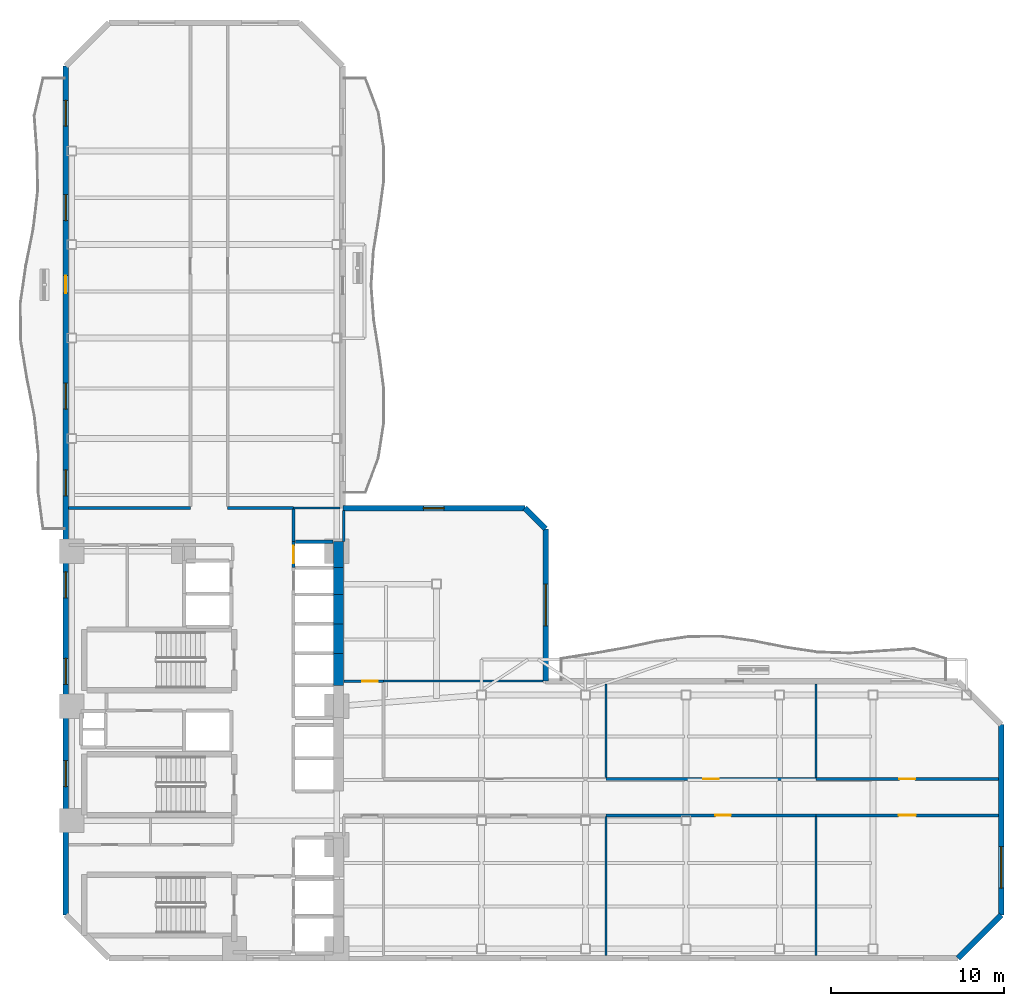
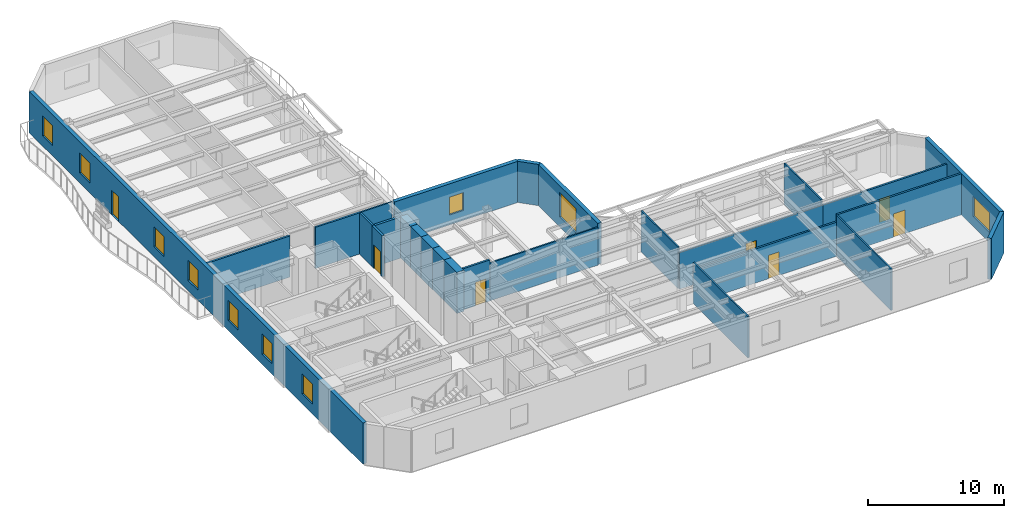
# One storey, part 5 of 10: 28 walls, 10 windows, 7 doors, 17 openings.
"""IFC4 building model written with IfcOpenShell, lengths in metres."""

from ifc_helpers import new_model, si_unit, direction, frame, frame_2d, origin, place, context, subcontext, project, spatial, rectangle, extrude, material, layer, layer_set, type_object, element, fill, save


model = new_model("IFC4")

# Units and contexts
model_context = context("Model", 3, precision=1e-05, world=origin(), true_north=direction((0.0, 1.0)))
body_context = subcontext(model_context, "Body", "Model", "MODEL_VIEW")
ifc_project = project(units=[si_unit("LENGTHUNIT", "METRE"), si_unit("AREAUNIT", "SQUARE_METRE"), si_unit("VOLUMEUNIT", "CUBIC_METRE"), si_unit("PLANEANGLEUNIT", "RADIAN"), si_unit("MASSUNIT", "GRAM", prefix="KILO")], contexts=[model_context])

# Site, building, storey
site_placement = place(None, origin())
site = spatial("IfcSite", under=ifc_project, at=site_placement, CompositionType="ELEMENT")
building_placement = place(site_placement, origin())
building = spatial("IfcBuilding", under=site, at=building_placement, Name="Mawjaban Terraces University", CompositionType="ELEMENT")
storey_placement = place(building_placement, frame((0.0, 0.0, 73.89990234375)))
storey = spatial("IfcBuildingStorey", under=building, at=storey_placement, Name="L17", CompositionType="ELEMENT", Elevation=73.89990234375)

# Walls
ifc_material_1 = material(Name="Concrete C70/85", Category="concrete")
ifc_layer_1 = layer(ifc_material_1, 0.60009765625)
ifc_layer_set_1 = layer_set([ifc_layer_1], Name="Concrete C70/85")
wall_type_1 = type_object("IfcWallType", Name="CoreShearWall_600", PredefinedType="SHEAR", material=ifc_layer_set_1)
wall_1_placement = place(storey_placement, frame((37.75, 15.75, 0.0), z_axis=(0.0, 0.0, 1.0), x_axis=(0.0, 1.0, 0.0)))
element("IfcWall", 1, at=wall_1_placement, inside=storey, type_object=wall_type_1, Name="L17 Lift OL-2 Hoistway Wall East", PredefinedType="SHEAR", context=body_context, shape_type="SweptSolid", body=[
    extrude(rectangle(XDim=1.85009765625, YDim=0.60009765625, at=frame_2d((0.925048828125, 0.0))), origin(), (0.0, 0.0, 1.0), 3.690185546875),
])
for number, where, z_axis, x_axis, name in (
    (2, (37.75, 17.60009765625, 0.0), (0.0, 0.0, 1.0), (0.0, 1.0, 0.0), "L17 Lift PL-M1 Hoistway Wall East"),
    (3, (37.75, 19.300048828125, 0.0), (0.0, 0.0, 1.0), (0.0, 1.0, 0.0), "L17 Lift PL-M2 Hoistway Wall East"),
):
    element("IfcWall", number, at=place(storey_placement, frame(where, z_axis=z_axis, x_axis=x_axis)), inside=storey, type_object=wall_type_1, Name=name, PredefinedType="SHEAR", context=body_context, shape_type="SweptSolid", body=[
        extrude(rectangle(XDim=1.699951171875, YDim=0.60009765625, at=frame_2d((0.85009765625, 0.0))), origin(), (0.0, 0.0, 1.0), 3.690185546875),
    ])
wall_2_placement = place(storey_placement, frame((37.75, 21.0, 0.0), z_axis=(0.0, 0.0, 1.0), x_axis=(0.0, 1.0, 0.0)))
element("IfcWall", 4, at=wall_2_placement, inside=storey, type_object=wall_type_1, Name="L17 Lift PL-L1 Hoistway Wall East", PredefinedType="SHEAR", context=body_context, shape_type="SweptSolid", body=[
    extrude(rectangle(XDim=1.550048828125, YDim=0.60009765625, at=frame_2d((0.77490234375, 0.0))), origin(), (0.0, 0.0, 1.0), 3.690185546875),
])
wall_3_placement = place(storey_placement, frame((37.75, 22.550048828125, 0.0), z_axis=(0.0, 0.0, 1.0), x_axis=(0.0, 1.0, 0.0)))
element("IfcWall", 5, at=wall_3_placement, inside=storey, type_object=wall_type_1, Name="L17 Lift PL-L2 Hoistway Wall East", PredefinedType="SHEAR", context=body_context, shape_type="SweptSolid", body=[
    extrude(rectangle(XDim=1.5, YDim=0.60009765625, at=frame_2d((0.75, 0.0))), origin(), (0.0, 0.0, 1.0), 3.690185546875),
])
ifc_material_2 = material(Name="Fire-rated gypsum board on steel stud", Category="steel")
ifc_layer_2 = layer(ifc_material_2, 0.159912109375)
ifc_layer_set_2 = layer_set([ifc_layer_2], Name="Fire-rated gypsum board on steel stud")
wall_type_2 = type_object("IfcWallType", Name="CorridorPartition_160", PredefinedType="PARTITIONING", material=ifc_layer_set_2)
wall_4_placement = place(storey_placement, frame((29.199951171875, 26.0, 0.0), z_axis=(0.0, 0.0, 1.0), x_axis=(-1.0, 0.0, 0.0)))
element("IfcWall", 6, at=wall_4_placement, inside=storey, type_object=wall_type_2, Name="L17 North Core Cross-Corridor Partition 7", PredefinedType="PARTITIONING", context=body_context, shape_type="SweptSolid", body=[
    extrude(rectangle(XDim=7.044921875, YDim=0.159912109375, at=frame_2d((3.5224609375, 0.0))), origin(), (0.0, 0.0, 1.0), 3.690185546875),
])
wall_5_placement = place(storey_placement, frame((35.14990234375, 26.0, 0.0), z_axis=(0.0, 0.0, 1.0), x_axis=(-1.0, 0.0, 0.0)))
element("IfcWall", 7, at=wall_5_placement, inside=storey, type_object=wall_type_2, Name="L17 North Core Cross-Corridor Partition 11", PredefinedType="PARTITIONING", context=body_context, shape_type="SweptSolid", body=[
    extrude(rectangle(XDim=3.7998046875, YDim=0.159912109375, at=frame_2d((1.89990234375, 0.0))), origin(), (0.0, 0.0, 1.0), 3.690185546875),
])

# Wall, opening, door
wall_6_placement = place(storey_placement, frame((40.35009765625, 16.0, 0.0), z_axis=(0.0, 0.0, 1.0), x_axis=(-1.0, 0.0, 0.0)))
wall_6 = element("IfcWall", 8, at=wall_6_placement, inside=storey, type_object=wall_type_2, Name="L17 East Academic Corridor Vestibule Partition 16", PredefinedType="PARTITIONING", context=body_context, shape_type="SweptSolid", body=[
    extrude(rectangle(XDim=2.27001953125, YDim=0.159912109375, at=frame_2d((1.135009765625, 0.0))), origin(), (0.0, 0.0, 1.0), 3.690185546875),
])
opening_1_placement = place(wall_6_placement, frame((0.3349609375, 0.0, 0.0)))
opening_1 = element("IfcOpeningElement", 9, at=opening_1_placement, cuts=wall_6, Name="Opening ID-090", PredefinedType="OPENING", context=body_context, shape_type="SweptSolid", body=[
    extrude(rectangle(XDim=0.89990234375, YDim=2.10009765625, at=frame_2d((0.449951171875, 1.050048828125))), frame((0.0, 0.08984375, 0.0), z_axis=(0.0, -1.0, 0.0), x_axis=(1.0, 0.0, 0.0)), (0.0, 0.0, 1.0), 0.179931640625),
])
ifc_material_3 = material(Name="Powder-coated steel frame and solid acoustic timber leaf", Category="steel")
door_type_1 = type_object("IfcDoorType", Name="OfficeDoor_900x2100", OperationType="NOTDEFINED", PredefinedType="DOOR", material=ifc_material_3)
door_1_placement = place(opening_1_placement, origin())
door_1 = element("IfcDoor", 10, at=door_1_placement, inside=storey, type_object=door_type_1, Name="L17 Terrace Collaborative Study Room Door", OperationType="SINGLE_SWING_RIGHT", OverallHeight=2.10009765625, OverallWidth=0.89990234375, PredefinedType="DOOR", context=body_context, shape_type="SweptSolid", body=[
    extrude(rectangle(XDim=0.89990234375, YDim=2.10009765625, at=frame_2d((0.449951171875, 1.050048828125))), frame((0.0, 0.02490234375, 0.0), z_axis=(0.0, -1.0, 0.0), x_axis=(1.0, 0.0, 0.0)), (0.0, 0.0, 1.0), 0.050048828125),
])
fill(opening_1, door_1)

wall_7_placement = place(storey_placement, frame((53.179931640625, 8.25, 0.0), z_axis=(0.0, 0.0, 1.0), x_axis=(1.0, 0.0, 0.0)))
wall_7 = element("IfcWall", 11, at=wall_7_placement, inside=storey, type_object=wall_type_2, Name="L17 East Academic Spine Corridor Partition 17", PredefinedType="PARTITIONING", context=body_context, shape_type="SweptSolid", body=[
    extrude(rectangle(XDim=12.130126953125, YDim=0.159912109375, at=frame_2d((6.06494140625, 0.0))), origin(), (0.0, 0.0, 1.0), 3.05517578125),
])
opening_2_placement = place(wall_7_placement, frame((6.31494140625, 0.0, 0.0)))
opening_2 = element("IfcOpeningElement", 12, at=opening_2_placement, cuts=wall_7, Name="Opening ID-090", PredefinedType="OPENING", context=body_context, shape_type="SweptSolid", body=[
    extrude(rectangle(XDim=0.89990234375, YDim=2.10009765625, at=frame_2d((0.449951171875, 1.050048828125))), frame((0.0, 0.08984375, 0.0), z_axis=(0.0, -1.0, 0.0), x_axis=(1.0, 0.0, 0.0)), (0.0, 0.0, 1.0), 0.179931640625),
])
door_2_placement = place(opening_2_placement, origin())
door_2 = element("IfcDoor", 13, at=door_2_placement, inside=storey, type_object=door_type_1, Name="L17 Graduate Study Lounge 4 Door", OperationType="SINGLE_SWING_RIGHT", OverallHeight=2.10009765625, OverallWidth=0.89990234375, PredefinedType="DOOR", context=body_context, shape_type="SweptSolid", body=[
    extrude(rectangle(XDim=0.89990234375, YDim=2.10009765625, at=frame_2d((0.449951171875, 1.050048828125))), frame((0.0, 0.02490234375, 0.0), z_axis=(0.0, -1.0, 0.0), x_axis=(1.0, 0.0, 0.0)), (0.0, 0.0, 1.0), 0.050048828125),
])
fill(opening_2, door_2)

wall_8_placement = place(storey_placement, frame((65.31005859375, 8.25, 0.0), z_axis=(0.0, 0.0, 1.0), x_axis=(1.0, 0.0, 0.0)))
wall_8 = element("IfcWall", 14, at=wall_8_placement, inside=storey, type_object=wall_type_2, Name="L17 East Academic Spine Corridor Partition 19", PredefinedType="PARTITIONING", context=body_context, shape_type="SweptSolid", body=[
    extrude(rectangle(XDim=10.534912109375, YDim=0.159912109375, at=frame_2d((5.267578125, 0.0))), origin(), (0.0, 0.0, 1.0), 3.690185546875),
])
opening_3_placement = place(wall_8_placement, frame((4.76708984375, 0.0, 0.0)))
opening_3 = element("IfcOpeningElement", 15, at=opening_3_placement, cuts=wall_8, Name="Opening ID-100", PredefinedType="OPENING", context=body_context, shape_type="SweptSolid", body=[
    extrude(rectangle(XDim=1.0, YDim=2.10009765625, at=frame_2d((0.5, 1.050048828125))), frame((0.0, 0.08984375, 0.0), z_axis=(0.0, -1.0, 0.0), x_axis=(1.0, 0.0, 0.0)), (0.0, 0.0, 1.0), 0.179931640625),
])
door_type_2 = type_object("IfcDoorType", Name="ClassroomDoor_1000x2100", OperationType="NOTDEFINED", PredefinedType="DOOR", material=ifc_material_3)
door_3_placement = place(opening_3_placement, origin())
door_3 = element("IfcDoor", 16, at=door_3_placement, inside=storey, type_object=door_type_2, Name="L17 Classroom 6 Door", OperationType="SINGLE_SWING_RIGHT", OverallHeight=2.10009765625, OverallWidth=1.0, PredefinedType="DOOR", context=body_context, shape_type="SweptSolid", body=[
    extrude(rectangle(XDim=1.0, YDim=2.10009765625, at=frame_2d((0.5, 1.050048828125))), frame((0.0, 0.02490234375, 0.0), z_axis=(0.0, -1.0, 0.0), x_axis=(1.0, 0.0, 0.0)), (0.0, 0.0, 1.0), 0.050048828125),
])
fill(opening_3, door_3)

wall_9_placement = place(storey_placement, frame((65.31005859375, 10.35009765625, 0.0), z_axis=(0.0, 0.0, 1.0), x_axis=(-1.0, 0.0, 0.0)))
wall_9 = element("IfcWall", 17, at=wall_9_placement, inside=storey, type_object=wall_type_2, Name="L17 East Academic Spine Corridor Partition 20", PredefinedType="PARTITIONING", context=body_context, shape_type="SweptSolid", body=[
    extrude(rectangle(XDim=12.130126953125, YDim=0.159912109375, at=frame_2d((6.06494140625, 0.0))), origin(), (0.0, 0.0, 1.0), 3.277099609375),
])
opening_4_placement = place(wall_9_placement, frame((5.614990234375, 0.0, 0.0)))
opening_4 = element("IfcOpeningElement", 18, at=opening_4_placement, cuts=wall_9, Name="Opening ID-090", PredefinedType="OPENING", context=body_context, shape_type="SweptSolid", body=[
    extrude(rectangle(XDim=0.89990234375, YDim=2.10009765625, at=frame_2d((0.449951171875, 1.050048828125))), frame((0.0, 0.08984375, 0.0), z_axis=(0.0, -1.0, 0.0), x_axis=(1.0, 0.0, 0.0)), (0.0, 0.0, 1.0), 0.179931640625),
])
door_4_placement = place(opening_4_placement, origin())
door_4 = element("IfcDoor", 19, at=door_4_placement, inside=storey, type_object=door_type_1, Name="L17 Collaborative Study Room 5 Door", OperationType="SINGLE_SWING_LEFT", OverallHeight=2.10009765625, OverallWidth=0.89990234375, PredefinedType="DOOR", context=body_context, shape_type="SweptSolid", body=[
    extrude(rectangle(XDim=0.89990234375, YDim=2.10009765625, at=frame_2d((0.449951171875, 1.050048828125))), frame((0.0, 0.02490234375, 0.0), z_axis=(0.0, -1.0, 0.0), x_axis=(1.0, 0.0, 0.0)), (0.0, 0.0, 1.0), 0.050048828125),
])
fill(opening_4, door_4)

wall_10_placement = place(storey_placement, frame((75.844970703125, 10.35009765625, 0.0), z_axis=(0.0, 0.0, 1.0), x_axis=(-1.0, 0.0, 0.0)))
wall_10 = element("IfcWall", 20, at=wall_10_placement, inside=storey, type_object=wall_type_2, Name="L17 East Academic Spine Corridor Partition 21", PredefinedType="PARTITIONING", context=body_context, shape_type="SweptSolid", body=[
    extrude(rectangle(XDim=10.534912109375, YDim=0.159912109375, at=frame_2d((5.267578125, 0.0))), origin(), (0.0, 0.0, 1.0), 3.277099609375),
])
opening_5_placement = place(wall_10_placement, frame((4.81689453125, 0.0, 0.0)))
opening_5 = element("IfcOpeningElement", 21, at=opening_5_placement, cuts=wall_10, Name="Opening ID-090", PredefinedType="OPENING", context=body_context, shape_type="SweptSolid", body=[
    extrude(rectangle(XDim=0.89990234375, YDim=2.10009765625, at=frame_2d((0.449951171875, 1.050048828125))), frame((0.0, 0.08984375, 0.0), z_axis=(0.0, -1.0, 0.0), x_axis=(1.0, 0.0, 0.0)), (0.0, 0.0, 1.0), 0.179931640625),
])
door_5_placement = place(opening_5_placement, origin())
door_5 = element("IfcDoor", 22, at=door_5_placement, inside=storey, type_object=door_type_1, Name="L17 Seminar Room 7 Door", OperationType="SINGLE_SWING_LEFT", OverallHeight=2.10009765625, OverallWidth=0.89990234375, PredefinedType="DOOR", context=body_context, shape_type="SweptSolid", body=[
    extrude(rectangle(XDim=0.89990234375, YDim=2.10009765625, at=frame_2d((0.449951171875, 1.050048828125))), frame((0.0, 0.02490234375, 0.0), z_axis=(0.0, -1.0, 0.0), x_axis=(1.0, 0.0, 0.0)), (0.0, 0.0, 1.0), 0.050048828125),
])
fill(opening_5, door_5)

# Walls
wall_11_placement = place(storey_placement, frame((35.14990234375, 24.070068359375, 0.0), z_axis=(0.0, 0.0, 1.0), x_axis=(0.0, 1.0, 0.0)))
element("IfcWall", 23, at=wall_11_placement, inside=storey, type_object=wall_type_2, Name="L17 North Core Cross-Corridor Partition 30", PredefinedType="PARTITIONING", context=body_context, shape_type="SweptSolid", body=[
    extrude(rectangle(XDim=1.85498046875, YDim=0.159912109375, at=frame_2d((0.927490234375, 0.0))), origin(), (0.0, 0.0, 1.0), 3.690185546875),
])
ifc_material_4 = material(Name="Insulated terracotta rainscreen on concrete backup C40/50", Category="masonry")
ifc_layer_3 = layer(ifc_material_4, 0.320068359375)
ifc_layer_set_3 = layer_set([ifc_layer_3], Name="Insulated terracotta rainscreen on concrete backup C40/50")
wall_type_3 = type_object("IfcWallType", Name="ExtTerracottaWall_320", PredefinedType="SOLIDWALL", material=ifc_layer_set_3)
wall_12_placement = place(storey_placement, frame((73.5, 0.0, 0.0), z_axis=(0.0, 0.0, 1.0), x_axis=(0.707106781187, 0.707106781187, 0.0)))
element("IfcWall", 24, at=wall_12_placement, inside=storey, type_object=wall_type_3, Name="L17 Exterior Terracotta Wall 2", PredefinedType="SOLIDWALL", context=body_context, shape_type="SweptSolid", body=[
    extrude(rectangle(XDim=3.53564453125, YDim=0.320068359375, at=frame_2d((1.767822265625, 0.0))), origin(), (0.0, 0.0, 1.0), 3.690185546875),
])

# Wall, opening, window
wall_13_placement = place(storey_placement, frame((76.0, 2.5, 0.0), z_axis=(0.0, 0.0, 1.0), x_axis=(0.0, 1.0, 0.0)))
wall_13 = element("IfcWall", 25, at=wall_13_placement, inside=storey, type_object=wall_type_3, Name="L17 Exterior Terracotta Wall 3", PredefinedType="SOLIDWALL", context=body_context, shape_type="SweptSolid", body=[
    extrude(rectangle(XDim=11.0, YDim=0.320068359375, at=frame_2d((5.5, 0.0))), origin(), (0.0, 0.0, 1.0), 3.690185546875),
])
opening_6_placement = place(wall_13_placement, frame((1.550048828125, 0.0, 0.89990234375)))
opening_6 = element("IfcOpeningElement", 26, at=opening_6_placement, cuts=wall_13, Name="Opening W-08", PredefinedType="OPENING", context=body_context, shape_type="SweptSolid", body=[
    extrude(rectangle(XDim=2.39990234375, YDim=1.800048828125, at=frame_2d((1.199951171875, 0.89990234375))), frame((0.0, 0.169921875, 0.0), z_axis=(0.0, -1.0, 0.0), x_axis=(1.0, 0.0, 0.0)), (0.0, 0.0, 1.0), 0.340087890625),
])
ifc_material_5 = material(Name="Low-E solar-control double glazing in thermally broken aluminium frame", Category="aluminium")
window_type_1 = type_object("IfcWindowType", Name="Win_2400x1800", PartitioningType="SINGLE_PANEL", PredefinedType="WINDOW", material=ifc_material_5)
window_1_placement = place(opening_6_placement, origin())
window_1 = element("IfcWindow", 27, at=window_1_placement, inside=storey, type_object=window_type_1, Name="L17 Facade Window 3.1", OverallHeight=1.800048828125, OverallWidth=2.39990234375, PartitioningType="SINGLE_PANEL", PredefinedType="WINDOW", context=body_context, shape_type="SweptSolid", body=[
    extrude(rectangle(XDim=2.39990234375, YDim=1.800048828125, at=frame_2d((1.199951171875, 0.89990234375))), frame((0.0, 0.030029296875, 0.0), z_axis=(0.0, -1.0, 0.0), x_axis=(1.0, 0.0, 0.0)), (0.0, 0.0, 1.0), 0.06005859375),
])
fill(opening_6, window_1)

wall_14_placement = place(storey_placement, frame((49.699951171875, 16.0, 0.0), z_axis=(0.0, 0.0, 1.0), x_axis=(0.0, 1.0, 0.0)))
wall_14 = element("IfcWall", 28, at=wall_14_placement, inside=storey, type_object=wall_type_3, Name="L17 Exterior Terracotta Wall 6", PredefinedType="SOLIDWALL", context=body_context, shape_type="SweptSolid", body=[
    extrude(rectangle(XDim=8.7900390625, YDim=0.320068359375, at=frame_2d((4.39501953125, 0.0))), origin(), (0.0, 0.0, 1.0), 3.690185546875),
])
opening_7_placement = place(wall_14_placement, frame((3.195068359375, 0.0, 0.89990234375)))
opening_7 = element("IfcOpeningElement", 29, at=opening_7_placement, cuts=wall_14, Name="Opening W-11", PredefinedType="OPENING", context=body_context, shape_type="SweptSolid", body=[
    extrude(rectangle(XDim=2.39990234375, YDim=2.199951171875, at=frame_2d((1.199951171875, 1.10009765625))), frame((0.0, 0.169921875, 0.0), z_axis=(0.0, -1.0, 0.0), x_axis=(1.0, 0.0, 0.0)), (0.0, 0.0, 1.0), 0.340087890625),
])
window_type_2 = type_object("IfcWindowType", Name="Win_2400x2200", PartitioningType="SINGLE_PANEL", PredefinedType="WINDOW", material=ifc_material_5)
window_2_placement = place(opening_7_placement, origin())
window_2 = element("IfcWindow", 30, at=window_2_placement, inside=storey, type_object=window_type_2, Name="L17 Facade Window 6.1", OverallHeight=2.199951171875, OverallWidth=2.39990234375, PartitioningType="SINGLE_PANEL", PredefinedType="WINDOW", context=body_context, shape_type="SweptSolid", body=[
    extrude(rectangle(XDim=2.39990234375, YDim=2.199951171875, at=frame_2d((1.199951171875, 1.10009765625))), frame((0.0, 0.030029296875, 0.0), z_axis=(0.0, -1.0, 0.0), x_axis=(1.0, 0.0, 0.0)), (0.0, 0.0, 1.0), 0.06005859375),
])
fill(opening_7, window_2)

# Wall
wall_15_placement = place(storey_placement, frame((49.699951171875, 24.7900390625, 0.0), z_axis=(0.0, 0.0, 1.0), x_axis=(-0.707106781187, 0.707106781187, 0.0)))
element("IfcWall", 31, at=wall_15_placement, inside=storey, type_object=wall_type_3, Name="L17 Exterior Terracotta Wall 7", PredefinedType="SOLIDWALL", context=body_context, shape_type="SweptSolid", body=[
    extrude(rectangle(XDim=1.697021484375, YDim=0.320068359375, at=frame_2d((0.8486328125, 0.0))), origin(), (0.0, 0.0, 1.0), 3.690185546875),
])

# Wall, opening, window
wall_16_placement = place(storey_placement, frame((48.5, 25.989990234375, 0.0), z_axis=(0.0, 0.0, 1.0), x_axis=(-1.0, 0.0, 0.0)))
wall_16 = element("IfcWall", 32, at=wall_16_placement, inside=storey, type_object=wall_type_3, Name="L17 Exterior Terracotta Wall 8", PredefinedType="SOLIDWALL", context=body_context, shape_type="SweptSolid", body=[
    extrude(rectangle(XDim=10.5, YDim=0.320068359375, at=frame_2d((5.25, 0.0))), origin(), (0.0, 0.0, 1.0), 3.690185546875),
])
opening_8_placement = place(wall_16_placement, frame((4.64990234375, 0.0, 0.89990234375)))
opening_8 = element("IfcOpeningElement", 33, at=opening_8_placement, cuts=wall_16, Name="Opening W-01", PredefinedType="OPENING", context=body_context, shape_type="SweptSolid", body=[
    extrude(rectangle(XDim=1.199951171875, YDim=1.60009765625, at=frame_2d((0.60009765625, 0.800048828125))), frame((0.0, 0.169921875, 0.0), z_axis=(0.0, -1.0, 0.0), x_axis=(1.0, 0.0, 0.0)), (0.0, 0.0, 1.0), 0.340087890625),
])
window_type_3 = type_object("IfcWindowType", Name="Win_1200x1600", PartitioningType="SINGLE_PANEL", PredefinedType="WINDOW", material=ifc_material_5)
window_3_placement = place(opening_8_placement, origin())
window_3 = element("IfcWindow", 34, at=window_3_placement, inside=storey, type_object=window_type_3, Name="L17 Facade Window 8.1", OverallHeight=1.60009765625, OverallWidth=1.199951171875, PartitioningType="SINGLE_PANEL", PredefinedType="WINDOW", context=body_context, shape_type="SweptSolid", body=[
    extrude(rectangle(XDim=1.199951171875, YDim=1.60009765625, at=frame_2d((0.60009765625, 0.800048828125))), frame((0.0, 0.030029296875, 0.0), z_axis=(0.0, -1.0, 0.0), x_axis=(1.0, 0.0, 0.0)), (0.0, 0.0, 1.0), 0.06005859375),
])
fill(opening_8, window_3)

# Wall, openings, door, windows
wall_17_placement = place(storey_placement, frame((22.0, 51.5, 0.0), z_axis=(0.0, 0.0, 1.0), x_axis=(0.0, -1.0, 0.0)))
wall_17 = element("IfcWall", 35, at=wall_17_placement, inside=storey, type_object=wall_type_3, Name="L17 Exterior Terracotta Wall 13", PredefinedType="SOLIDWALL", context=body_context, shape_type="SweptSolid", body=[
    extrude(rectangle(XDim=49.0, YDim=0.320068359375, at=frame_2d((24.5, 0.0))), origin(), (0.0, 0.0, 1.0), 3.690185546875),
])
opening_9_placement = place(wall_17_placement, frame((12.10009765625, 0.0, 0.0)))
opening_9 = element("IfcOpeningElement", 36, at=opening_9_placement, cuts=wall_17, Name="Opening BD-100", PredefinedType="OPENING", context=body_context, shape_type="SweptSolid", body=[
    extrude(rectangle(XDim=1.0, YDim=2.199951171875, at=frame_2d((0.5, 1.10009765625))), frame((0.0, 0.169921875, 0.0), z_axis=(0.0, -1.0, 0.0), x_axis=(1.0, 0.0, 0.0)), (0.0, 0.0, 1.0), 0.340087890625),
])
opening_10_placement = place(wall_17_placement, frame((1.971923828125, 0.0, 0.89990234375)))
opening_10 = element("IfcOpeningElement", 37, at=opening_10_placement, cuts=wall_17, Name="Opening W-06", PredefinedType="OPENING", context=body_context, shape_type="SweptSolid", body=[
    extrude(rectangle(XDim=1.5, YDim=1.800048828125, at=frame_2d((0.75, 0.89990234375))), frame((0.0, 0.169921875, 0.0), z_axis=(0.0, -1.0, 0.0), x_axis=(1.0, 0.0, 0.0)), (0.0, 0.0, 1.0), 0.340087890625),
])
opening_11_placement = place(wall_17_placement, frame((7.4169921875, 0.0, 0.89990234375)))
opening_11 = element("IfcOpeningElement", 38, at=opening_11_placement, cuts=wall_17, Name="Opening W-06", PredefinedType="OPENING", context=body_context, shape_type="SweptSolid", body=[
    extrude(rectangle(XDim=1.5, YDim=1.800048828125, at=frame_2d((0.75, 0.89990234375))), frame((0.0, 0.169921875, 0.0), z_axis=(0.0, -1.0, 0.0), x_axis=(1.0, 0.0, 0.0)), (0.0, 0.0, 1.0), 0.340087890625),
])
opening_12_placement = place(wall_17_placement, frame((18.305908203125, 0.0, 0.89990234375)))
opening_12 = element("IfcOpeningElement", 39, at=opening_12_placement, cuts=wall_17, Name="Opening W-06", PredefinedType="OPENING", context=body_context, shape_type="SweptSolid", body=[
    extrude(rectangle(XDim=1.5, YDim=1.800048828125, at=frame_2d((0.75, 0.89990234375))), frame((0.0, 0.169921875, 0.0), z_axis=(0.0, -1.0, 0.0), x_axis=(1.0, 0.0, 0.0)), (0.0, 0.0, 1.0), 0.340087890625),
])
opening_13_placement = place(wall_17_placement, frame((23.300048828125, 0.0, 0.89990234375)))
opening_13 = element("IfcOpeningElement", 40, at=opening_13_placement, cuts=wall_17, Name="Opening W-06", PredefinedType="OPENING", context=body_context, shape_type="SweptSolid", body=[
    extrude(rectangle(XDim=1.5, YDim=1.800048828125, at=frame_2d((0.75, 0.89990234375))), frame((0.0, 0.169921875, 0.0), z_axis=(0.0, -1.0, 0.0), x_axis=(1.0, 0.0, 0.0)), (0.0, 0.0, 1.0), 0.340087890625),
])
opening_14_placement = place(wall_17_placement, frame((29.194091796875, 0.0, 0.89990234375)))
opening_14 = element("IfcOpeningElement", 41, at=opening_14_placement, cuts=wall_17, Name="Opening W-06", PredefinedType="OPENING", context=body_context, shape_type="SweptSolid", body=[
    extrude(rectangle(XDim=1.5, YDim=1.800048828125, at=frame_2d((0.75, 0.89990234375))), frame((0.0, 0.169921875, 0.0), z_axis=(0.0, -1.0, 0.0), x_axis=(1.0, 0.0, 0.0)), (0.0, 0.0, 1.0), 0.340087890625),
])
opening_15_placement = place(wall_17_placement, frame((34.18896484375, 0.0, 0.89990234375)))
opening_15 = element("IfcOpeningElement", 42, at=opening_15_placement, cuts=wall_17, Name="Opening W-06", PredefinedType="OPENING", context=body_context, shape_type="SweptSolid", body=[
    extrude(rectangle(XDim=1.5, YDim=1.800048828125, at=frame_2d((0.75, 0.89990234375))), frame((0.0, 0.169921875, 0.0), z_axis=(0.0, -1.0, 0.0), x_axis=(1.0, 0.0, 0.0)), (0.0, 0.0, 1.0), 0.340087890625),
])
opening_16_placement = place(wall_17_placement, frame((40.0830078125, 0.0, 0.89990234375)))
opening_16 = element("IfcOpeningElement", 43, at=opening_16_placement, cuts=wall_17, Name="Opening W-06", PredefinedType="OPENING", context=body_context, shape_type="SweptSolid", body=[
    extrude(rectangle(XDim=1.5, YDim=1.800048828125, at=frame_2d((0.75, 0.89990234375))), frame((0.0, 0.169921875, 0.0), z_axis=(0.0, -1.0, 0.0), x_axis=(1.0, 0.0, 0.0)), (0.0, 0.0, 1.0), 0.340087890625),
])
ifc_material_6 = material(Name="Thermally broken anodised aluminium and laminated safety glass", Category="aluminium")
door_type_3 = type_object("IfcDoorType", Name="BalconyGlazedDoor_1000x2200", OperationType="NOTDEFINED", PredefinedType="DOOR", material=ifc_material_6)
door_6_placement = place(opening_9_placement, origin())
door_6 = element("IfcDoor", 44, at=door_6_placement, inside=storey, type_object=door_type_3, Name="L17 Balcony Access Door west", OperationType="SINGLE_SWING_RIGHT", OverallHeight=2.199951171875, OverallWidth=1.0, PredefinedType="DOOR", context=body_context, shape_type="SweptSolid", body=[
    extrude(rectangle(XDim=1.0, YDim=2.199951171875, at=frame_2d((0.5, 1.10009765625))), frame((0.0, 0.02490234375, 0.0), z_axis=(0.0, -1.0, 0.0), x_axis=(1.0, 0.0, 0.0)), (0.0, 0.0, 1.0), 0.050048828125),
])
fill(opening_9, door_6)
window_type_4 = type_object("IfcWindowType", Name="Win_1500x1800", PartitioningType="SINGLE_PANEL", PredefinedType="WINDOW", material=ifc_material_5)
window_4_placement = place(opening_10_placement, origin())
window_4 = element("IfcWindow", 45, at=window_4_placement, inside=storey, type_object=window_type_4, Name="L17 Facade Window 13.1", OverallHeight=1.800048828125, OverallWidth=1.5, PartitioningType="SINGLE_PANEL", PredefinedType="WINDOW", context=body_context, shape_type="SweptSolid", body=[
    extrude(rectangle(XDim=1.5, YDim=1.800048828125, at=frame_2d((0.75, 0.89990234375))), frame((0.0, 0.030029296875, 0.0), z_axis=(0.0, -1.0, 0.0), x_axis=(1.0, 0.0, 0.0)), (0.0, 0.0, 1.0), 0.06005859375),
])
fill(opening_10, window_4)
window_5_placement = place(opening_11_placement, origin())
window_5 = element("IfcWindow", 46, at=window_5_placement, inside=storey, type_object=window_type_4, Name="L17 Facade Window 13.2", OverallHeight=1.800048828125, OverallWidth=1.5, PartitioningType="SINGLE_PANEL", PredefinedType="WINDOW", context=body_context, shape_type="SweptSolid", body=[
    extrude(rectangle(XDim=1.5, YDim=1.800048828125, at=frame_2d((0.75, 0.89990234375))), frame((0.0, 0.030029296875, 0.0), z_axis=(0.0, -1.0, 0.0), x_axis=(1.0, 0.0, 0.0)), (0.0, 0.0, 1.0), 0.06005859375),
])
fill(opening_11, window_5)
window_6_placement = place(opening_12_placement, origin())
window_6 = element("IfcWindow", 47, at=window_6_placement, inside=storey, type_object=window_type_4, Name="L17 Facade Window 13.4", OverallHeight=1.800048828125, OverallWidth=1.5, PartitioningType="SINGLE_PANEL", PredefinedType="WINDOW", context=body_context, shape_type="SweptSolid", body=[
    extrude(rectangle(XDim=1.5, YDim=1.800048828125, at=frame_2d((0.75, 0.89990234375))), frame((0.0, 0.030029296875, 0.0), z_axis=(0.0, -1.0, 0.0), x_axis=(1.0, 0.0, 0.0)), (0.0, 0.0, 1.0), 0.06005859375),
])
fill(opening_12, window_6)
window_7_placement = place(opening_13_placement, origin())
window_7 = element("IfcWindow", 48, at=window_7_placement, inside=storey, type_object=window_type_4, Name="L17 Facade Window 13.5", OverallHeight=1.800048828125, OverallWidth=1.5, PartitioningType="SINGLE_PANEL", PredefinedType="WINDOW", context=body_context, shape_type="SweptSolid", body=[
    extrude(rectangle(XDim=1.5, YDim=1.800048828125, at=frame_2d((0.75, 0.89990234375))), frame((0.0, 0.030029296875, 0.0), z_axis=(0.0, -1.0, 0.0), x_axis=(1.0, 0.0, 0.0)), (0.0, 0.0, 1.0), 0.06005859375),
])
fill(opening_13, window_7)
window_8_placement = place(opening_14_placement, origin())
window_8 = element("IfcWindow", 49, at=window_8_placement, inside=storey, type_object=window_type_4, Name="L17 Facade Window 13.6", OverallHeight=1.800048828125, OverallWidth=1.5, PartitioningType="SINGLE_PANEL", PredefinedType="WINDOW", context=body_context, shape_type="SweptSolid", body=[
    extrude(rectangle(XDim=1.5, YDim=1.800048828125, at=frame_2d((0.75, 0.89990234375))), frame((0.0, 0.030029296875, 0.0), z_axis=(0.0, -1.0, 0.0), x_axis=(1.0, 0.0, 0.0)), (0.0, 0.0, 1.0), 0.06005859375),
])
fill(opening_14, window_8)
window_9_placement = place(opening_15_placement, origin())
window_9 = element("IfcWindow", 50, at=window_9_placement, inside=storey, type_object=window_type_4, Name="L17 Facade Window 13.7", OverallHeight=1.800048828125, OverallWidth=1.5, PartitioningType="SINGLE_PANEL", PredefinedType="WINDOW", context=body_context, shape_type="SweptSolid", body=[
    extrude(rectangle(XDim=1.5, YDim=1.800048828125, at=frame_2d((0.75, 0.89990234375))), frame((0.0, 0.030029296875, 0.0), z_axis=(0.0, -1.0, 0.0), x_axis=(1.0, 0.0, 0.0)), (0.0, 0.0, 1.0), 0.06005859375),
])
fill(opening_15, window_9)
window_10_placement = place(opening_16_placement, origin())
window_10 = element("IfcWindow", 51, at=window_10_placement, inside=storey, type_object=window_type_4, Name="L17 Facade Window 13.8", OverallHeight=1.800048828125, OverallWidth=1.5, PartitioningType="SINGLE_PANEL", PredefinedType="WINDOW", context=body_context, shape_type="SweptSolid", body=[
    extrude(rectangle(XDim=1.5, YDim=1.800048828125, at=frame_2d((0.75, 0.89990234375))), frame((0.0, 0.030029296875, 0.0), z_axis=(0.0, -1.0, 0.0), x_axis=(1.0, 0.0, 0.0)), (0.0, 0.0, 1.0), 0.06005859375),
])
fill(opening_16, window_10)

# Wall, opening, door
ifc_material_7 = material(Name="Concrete C40/50", Category="concrete")
ifc_layer_4 = layer(ifc_material_7, 0.199951171875)
ifc_layer_set_4 = layer_set([ifc_layer_4], Name="Concrete C40/50")
wall_type_4 = type_object("IfcWallType", Name="FireLobbyWall_200", PredefinedType="SOLIDWALL", material=ifc_layer_set_4)
wall_18_placement = place(storey_placement, frame((35.14990234375, 24.050048828125, 0.0), z_axis=(0.0, 0.0, 1.0), x_axis=(0.0, -1.0, 0.0)))
wall_18 = element("IfcWall", 52, at=wall_18_placement, inside=storey, type_object=wall_type_4, Name="L17 Lift PL-L2 Hoistway Wall West", PredefinedType="SOLIDWALL", context=body_context, shape_type="SweptSolid", body=[
    extrude(rectangle(XDim=1.5, YDim=0.199951171875, at=frame_2d((0.75, 0.0))), origin(), (0.0, 0.0, 1.0), 3.690185546875),
])
opening_17_placement = place(wall_18_placement, frame((0.25, 0.0, 0.0)))
opening_17 = element("IfcOpeningElement", 53, at=opening_17_placement, cuts=wall_18, Name="Opening LD-PL-L2", PredefinedType="OPENING", context=body_context, shape_type="SweptSolid", body=[
    extrude(rectangle(XDim=1.0, YDim=2.10009765625, at=frame_2d((0.5, 1.050048828125))), frame((0.0, 0.10986328125, 0.0), z_axis=(0.0, -1.0, 0.0), x_axis=(1.0, 0.0, 0.0)), (0.0, 0.0, 1.0), 0.219970703125),
])
ifc_material_8 = material(Name="Powder-coated steel frame and fire-rated steel-faced leaf", Category="steel")
door_type_4 = type_object("IfcDoorType", Name="LiftLandingSliding_1000x2100", OperationType="NOTDEFINED", PredefinedType="DOOR", material=ifc_material_8)
door_7_placement = place(opening_17_placement, origin())
door_7 = element("IfcDoor", 54, at=door_7_placement, inside=storey, type_object=door_type_4, Name="L17 Lift PL-L2 Sliding Landing Door", OperationType="DOUBLE_DOOR_SLIDING", OverallHeight=2.10009765625, OverallWidth=1.0, PredefinedType="DOOR", context=body_context, shape_type="SweptSolid", body=[
    extrude(rectangle(XDim=1.0, YDim=2.10009765625, at=frame_2d((0.5, 1.050048828125))), frame((0.0, 0.02490234375, 0.0), z_axis=(0.0, -1.0, 0.0), x_axis=(1.0, 0.0, 0.0)), (0.0, 0.0, 1.0), 0.050048828125),
])
fill(opening_17, door_7)

# Walls
wall_19_placement = place(storey_placement, frame((37.419921875, 24.050048828125, 0.0), z_axis=(0.0, 0.0, 1.0), x_axis=(-1.0, 0.0, 0.0)))
element("IfcWall", 55, at=wall_19_placement, inside=storey, type_object=wall_type_4, Name="L17 Lift PL-L2 Hoistway Wall North", PredefinedType="SOLIDWALL", context=body_context, shape_type="SweptSolid", body=[
    extrude(rectangle(XDim=2.139892578125, YDim=0.199951171875, at=frame_2d((1.06982421875, 0.0))), origin(), (0.0, 0.0, 1.0), 3.690185546875),
])
ifc_material_9 = material(Name="Gypsum plasterboard on steel stud", Category="steel")
ifc_layer_5 = layer(ifc_material_9, 0.125)
ifc_layer_set_5 = layer_set([ifc_layer_5], Name="Gypsum plasterboard on steel stud")
wall_type_5 = type_object("IfcWallType", Name="OfficePartition_125", PredefinedType="PARTITIONING", material=ifc_layer_set_5)
wall_20_placement = place(storey_placement, frame((35.14990234375, 26.0, 0.0), z_axis=(0.0, 0.0, 1.0), x_axis=(1.0, 0.0, 0.0)))
element("IfcWall", 56, at=wall_20_placement, inside=storey, type_object=wall_type_5, Name="L17 Collaborative Study Room 9 Partition 12", PredefinedType="PARTITIONING", context=body_context, shape_type="SweptSolid", body=[
    extrude(rectangle(XDim=2.695068359375, YDim=0.125, at=frame_2d((1.34765625, 0.0))), origin(), (0.0, 0.0, 1.0), 3.690185546875),
])
wall_21_placement = place(storey_placement, frame((40.35009765625, 16.0, 0.0), z_axis=(0.0, 0.0, 1.0), x_axis=(1.0, 0.0, 0.0)))
element("IfcWall", 57, at=wall_21_placement, inside=storey, type_object=wall_type_5, Name="L17 Terrace Collaborative Study Room Partition 15", PredefinedType="PARTITIONING", context=body_context, shape_type="SweptSolid", body=[
    extrude(rectangle(XDim=9.19482421875, YDim=0.125, at=frame_2d((4.597412109375, 0.0))), origin(), (0.0, 0.0, 1.0), 3.39013671875),
])
wall_22_placement = place(storey_placement, frame((38.050048828125, 25.8349609375, 0.0), z_axis=(0.0, 0.0, 1.0), x_axis=(0.0, -1.0, 0.0)))
element("IfcWall", 58, at=wall_22_placement, inside=storey, type_object=wall_type_5, Name="L17 Terrace Collaborative Study Room Partition 32", PredefinedType="PARTITIONING", context=body_context, shape_type="SweptSolid", body=[
    extrude(rectangle(XDim=1.784912109375, YDim=0.125, at=frame_2d((0.892578125, 0.0))), origin(), (0.0, 0.0, 1.0), 3.05517578125),
])
wall_23_placement = place(storey_placement, frame((53.179931640625, 0.155029296875, 0.0), z_axis=(0.0, 0.0, 1.0), x_axis=(0.0, 1.0, 0.0)))
element("IfcWall", 59, at=wall_23_placement, inside=storey, type_object=wall_type_5, Name="L17 Graduate Study Lounge 2 Partition 35", PredefinedType="PARTITIONING", context=body_context, shape_type="SweptSolid", body=[
    extrude(rectangle(XDim=8.02001953125, YDim=0.125, at=frame_2d((4.010009765625, 0.0))), origin(), (0.0, 0.0, 1.0), 3.690185546875),
])
wall_24_placement = place(storey_placement, frame((53.179931640625, 10.425048828125, 0.0), z_axis=(0.0, 0.0, 1.0), x_axis=(0.0, 1.0, 0.0)))
element("IfcWall", 60, at=wall_24_placement, inside=storey, type_object=wall_type_5, Name="L17 Collaborative Study Room 3 Partition 36", PredefinedType="PARTITIONING", context=body_context, shape_type="SweptSolid", body=[
    extrude(rectangle(XDim=5.419921875, YDim=0.125, at=frame_2d((2.7099609375, 0.0))), origin(), (0.0, 0.0, 1.0), 3.690185546875),
])
wall_25_placement = place(storey_placement, frame((65.31005859375, 0.155029296875, 0.0), z_axis=(0.0, 0.0, 1.0), x_axis=(0.0, 1.0, 0.0)))
element("IfcWall", 61, at=wall_25_placement, inside=storey, type_object=wall_type_5, Name="L17 Graduate Study Lounge 4 Partition 37", PredefinedType="PARTITIONING", context=body_context, shape_type="SweptSolid", body=[
    extrude(rectangle(XDim=8.02001953125, YDim=0.125, at=frame_2d((4.010009765625, 0.0))), origin(), (0.0, 0.0, 1.0), 3.690185546875),
])
wall_26_placement = place(storey_placement, frame((65.31005859375, 10.425048828125, 0.0), z_axis=(0.0, 0.0, 1.0), x_axis=(0.0, 1.0, 0.0)))
element("IfcWall", 62, at=wall_26_placement, inside=storey, type_object=wall_type_5, Name="L17 Collaborative Study Room 5 Partition 38", PredefinedType="PARTITIONING", context=body_context, shape_type="SweptSolid", body=[
    extrude(rectangle(XDim=5.419921875, YDim=0.125, at=frame_2d((2.7099609375, 0.0))), origin(), (0.0, 0.0, 1.0), 3.690185546875),
])

save(model, "model.ifc")
